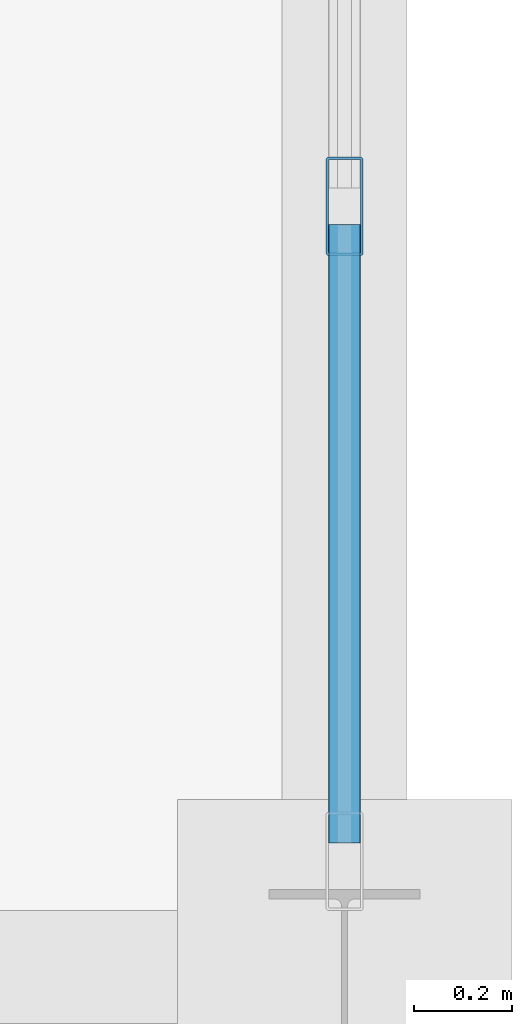
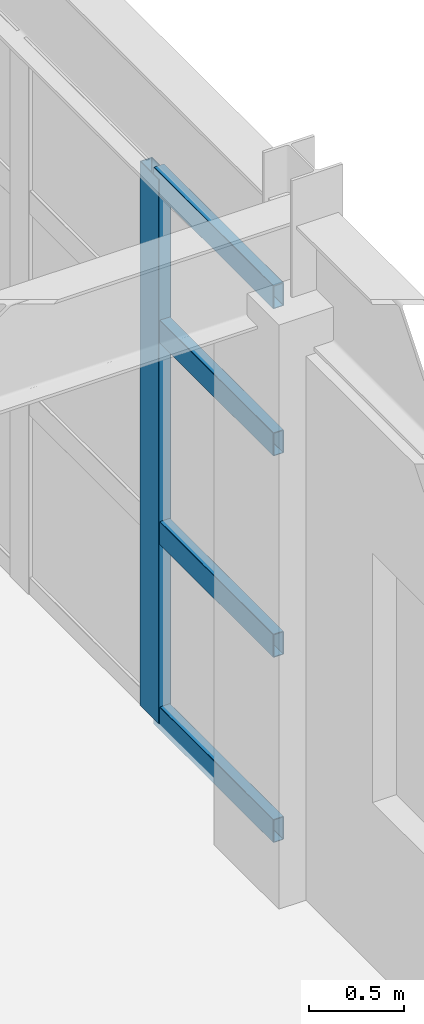
# One storey, part 95 of 137: 5 members, 1 element without a shape of its own.
"""IFC4 building model written with IfcOpenShell, lengths in metres."""

from ifc_helpers import new_model, si_unit, direction, frame, origin, origin_2d, place, context, subcontext, project, spatial, hollow_rectangle, extrude, material, layer, layer_set, material_profile, profile_set, type_object, element, aggregate, save


model = new_model("IFC4")

# Units and contexts
model_context = context("Model", 3, precision=1e-05, world=origin(), true_north=direction((0.0, 1.0)))
body_context = subcontext(model_context, "Body", "Model", "MODEL_VIEW")
ifc_project = project(units=[si_unit("LENGTHUNIT", "METRE"), si_unit("AREAUNIT", "SQUARE_METRE"), si_unit("VOLUMEUNIT", "CUBIC_METRE"), si_unit("PLANEANGLEUNIT", "RADIAN"), si_unit("MASSUNIT", "GRAM", prefix="KILO")], contexts=[model_context])

# Site, building, storey
site_placement = place(None, origin())
site = spatial("IfcSite", under=ifc_project, at=site_placement, CompositionType="ELEMENT")
building_placement = place(site_placement, origin())
building = spatial("IfcBuilding", under=site, at=building_placement, Name="Kemerveld Promenade Tramway Depot", CompositionType="ELEMENT")
storey_placement = place(building_placement, frame((0.0, 0.0, 5.39990234375)))
storey = spatial("IfcBuildingStorey", under=building, at=storey_placement, Name="L01", CompositionType="ELEMENT", Elevation=5.39990234375)

# Curtain wall, members
ifc_material_1 = material(Name="Bronze anodised aluminium and solar glass", Category="aluminium")
ifc_layer = layer(ifc_material_1, 0.199951171875)
ifc_layer_set = layer_set([ifc_layer], Name="CW-SYS-08")
curtain_wall_type = type_object("IfcCurtainWallType", Name="CW-SYS-08", PredefinedType="USERDEFINED", material=ifc_layer_set)
curtain_wall_placement = place(storey_placement, origin())
curtain_wall = element("IfcCurtainWall", 1, at=curtain_wall_placement, inside=storey, type_object=curtain_wall_type, Name="CW-L01-V2E-05", ObjectType="GLAZED_CURTAIN_WALL", PredefinedType="USERDEFINED")
ifc_material_2 = material(Name="Bronze anodised aluminium", Category="aluminium")
ifc_material_profile_1 = material_profile(ifc_material_2, hollow_rectangle(XDim=0.074951171875, YDim=0.199951171875, WallThickness=0.0048828125, InnerFilletRadius=0.001953125, OuterFilletRadius=0.0048828125, at=origin_2d()), Name="CW-MUL-200x75")
ifc_profile_set_1 = profile_set([ifc_material_profile_1], Name="Bronze anodised aluminium")
member_type_1 = type_object("IfcMemberType", Name="CW-MUL-B", PredefinedType="MULLION", material=ifc_profile_set_1)
member_1_placement = place(storey_placement, frame((216.0, 15.9462890625, 0.0), z_axis=(0.0, 0.0, 1.0), x_axis=(1.0, 0.0, 0.0)))
member_1 = element("IfcMember", 2, at=member_1_placement, type_object=member_type_1, Name="CW08 mullion 5", PredefinedType="MULLION", context=body_context, shape_type="SweptSolid", body=[
    extrude(hollow_rectangle(XDim=0.074951171875, YDim=0.199951171875, WallThickness=0.0048828125, InnerFilletRadius=0.001953125, OuterFilletRadius=0.0048828125, at=origin_2d()), origin(), (0.0, 0.0, 1.0), 3.49267578125),
])
ifc_material_profile_2 = material_profile(ifc_material_2, hollow_rectangle(XDim=0.06494140625, YDim=0.14990234375, WallThickness=0.00439453125, InnerFilletRadius=0.001953125, OuterFilletRadius=0.00439453125, at=origin_2d()), Name="CW-TRN-150x65")
ifc_profile_set_2 = profile_set([ifc_material_profile_2], Name="Bronze anodised aluminium")
member_type_2 = type_object("IfcMemberType", Name="CW-TRN-B", PredefinedType="USERDEFINED", material=ifc_profile_set_2)
member_2_placement = place(storey_placement, frame((216.0, 15.908935546875, 0.03271484375), z_axis=(0.0, -1.0, 0.0), x_axis=(1.0, 0.0, 0.0)))
member_2 = element("IfcMember", 3, at=member_2_placement, type_object=member_type_2, Name="CW08 transom 5.1", ObjectType="TRANSOM", PredefinedType="USERDEFINED", context=body_context, shape_type="SweptSolid", body=[
    extrude(hollow_rectangle(XDim=0.06494140625, YDim=0.14990234375, WallThickness=0.00439453125, InnerFilletRadius=0.001953125, OuterFilletRadius=0.00439453125, at=origin_2d()), origin(), (0.0, 0.0, 1.0), 1.256591796875),
])
member_3_placement = place(storey_placement, frame((216.0, 15.908935546875, 1.22216796875), z_axis=(0.0, -1.0, 0.0), x_axis=(1.0, 0.0, 0.0)))
member_3 = element("IfcMember", 4, at=member_3_placement, type_object=member_type_2, Name="CW08 transom 5.2", ObjectType="TRANSOM", PredefinedType="USERDEFINED", context=body_context, shape_type="SweptSolid", body=[
    extrude(hollow_rectangle(XDim=0.06494140625, YDim=0.14990234375, WallThickness=0.00439453125, InnerFilletRadius=0.001953125, OuterFilletRadius=0.00439453125, at=origin_2d()), origin(), (0.0, 0.0, 1.0), 1.256591796875),
])
member_4_placement = place(storey_placement, frame((216.0, 15.908935546875, 2.51513671875), z_axis=(0.0, -1.0, 0.0), x_axis=(1.0, 0.0, 0.0)))
member_4 = element("IfcMember", 5, at=member_4_placement, type_object=member_type_2, Name="CW08 transom 5.3", ObjectType="TRANSOM", PredefinedType="USERDEFINED", context=body_context, shape_type="SweptSolid", body=[
    extrude(hollow_rectangle(XDim=0.06494140625, YDim=0.14990234375, WallThickness=0.00439453125, InnerFilletRadius=0.001953125, OuterFilletRadius=0.00439453125, at=origin_2d()), origin(), (0.0, 0.0, 1.0), 1.256591796875),
])
member_5_placement = place(storey_placement, frame((216.0, 15.908935546875, 3.460205078125), z_axis=(0.0, -1.0, 0.0), x_axis=(1.0, 0.0, 0.0)))
member_5 = element("IfcMember", 6, at=member_5_placement, type_object=member_type_2, Name="CW08 transom 5.4", ObjectType="TRANSOM", PredefinedType="USERDEFINED", context=body_context, shape_type="SweptSolid", body=[
    extrude(hollow_rectangle(XDim=0.06494140625, YDim=0.14990234375, WallThickness=0.00439453125, InnerFilletRadius=0.001953125, OuterFilletRadius=0.00439453125, at=origin_2d()), origin(), (0.0, 0.0, 1.0), 1.256591796875),
])
aggregate(curtain_wall, [member_1, member_2, member_3, member_4, member_5])

save(model, "model.ifc")
